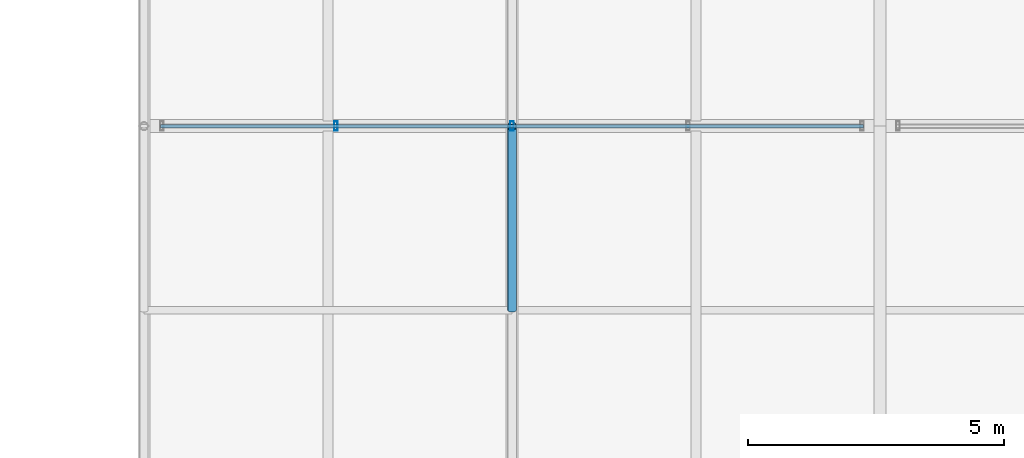
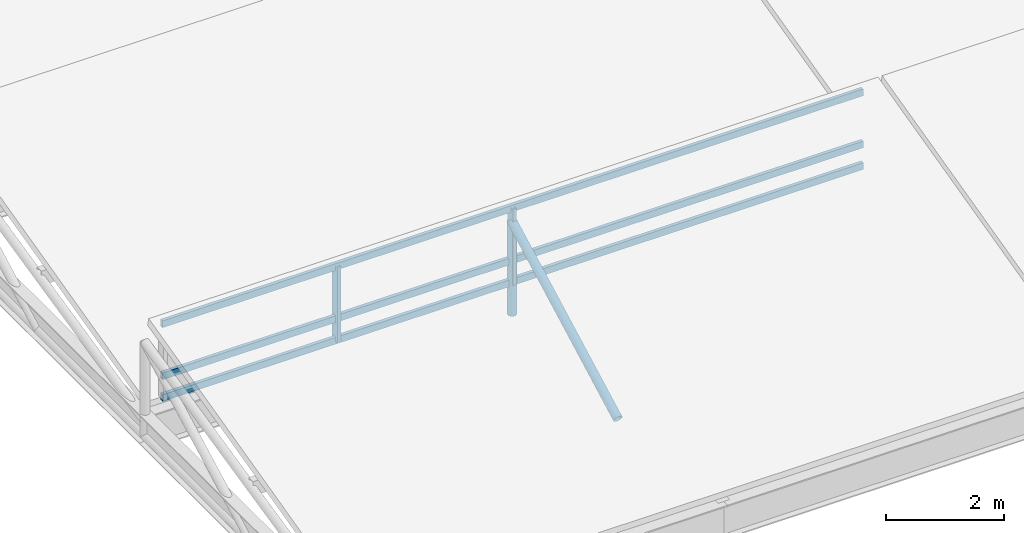
# One storey, part 53 of 144: 7 members, 1 element without a shape of its own.
"""IFC4 building model written with IfcOpenShell, lengths in metres."""

from ifc_helpers import new_model, si_unit, direction, frame, origin, origin_2d, place, context, subcontext, project, spatial, hollow_rectangle, hollow_circle, extrude, material, material_profile, profile_set, type_object, element, aggregate, save


model = new_model("IFC4")

# Units and contexts
model_context = context("Model", 3, precision=1e-05, world=origin(), true_north=direction((0.0, 1.0)))
body_context = subcontext(model_context, "Body", "Model", "MODEL_VIEW")
ifc_project = project(units=[si_unit("LENGTHUNIT", "METRE"), si_unit("AREAUNIT", "SQUARE_METRE"), si_unit("VOLUMEUNIT", "CUBIC_METRE"), si_unit("PLANEANGLEUNIT", "RADIAN"), si_unit("MASSUNIT", "GRAM", prefix="KILO")], contexts=[model_context])

# Site, building, storey
site_placement = place(None, origin())
site = spatial("IfcSite", under=ifc_project, at=site_placement, CompositionType="ELEMENT")
building_placement = place(site_placement, origin())
building = spatial("IfcBuilding", under=site, at=building_placement, Name="Yarey Park Central Fire Station", CompositionType="ELEMENT")
storey_placement = place(building_placement, frame((0.0, 0.0, 10.199951171875)))
storey = spatial("IfcBuildingStorey", under=building, at=storey_placement, Name="L03", CompositionType="ELEMENT", Elevation=10.199951171875)

# Curtain wall, members
ifc_material_1 = material(Name="Anodized Aluminium Frame", Category="aluminium")
curtain_wall_type = type_object("IfcCurtainWallType", Name="ENV_CW_SAW_18", PredefinedType="NOTDEFINED", material=ifc_material_1)
curtain_wall_placement = place(storey_placement, origin())
curtain_wall = element("IfcCurtainWall", 1, at=curtain_wall_placement, inside=storey, type_object=curtain_wall_type, Name="CW_L03_SAW_1_1", PredefinedType="NOTDEFINED")
ifc_material_profile_1 = material_profile(ifc_material_1, hollow_rectangle(XDim=0.070068359375, YDim=0.179931640625, WallThickness=0.00390625, at=origin_2d()), Name="ALU 180x70x4")
ifc_profile_set_1 = profile_set([ifc_material_profile_1], Name="Anodized Aluminium Frame")
member_type_1 = type_object("IfcMemberType", Name="ENV_CW_MULLION", PredefinedType="MULLION", material=ifc_profile_set_1)
member_1_placement = place(storey_placement, frame((144.0, 50.39990234375, 0.0), z_axis=(0.0, 0.0, 1.0), x_axis=(1.0, 0.0, 0.0)))
member_1 = element("IfcMember", 2, at=member_1_placement, type_object=member_type_1, Name="CW_L03_SAW_1_1_MUL3", PredefinedType="MULLION", context=body_context, shape_type="SweptSolid", body=[
    extrude(hollow_rectangle(XDim=0.070068359375, YDim=0.179931640625, WallThickness=0.00390625, at=origin_2d()), origin(), (0.0, 0.0, 1.0), 1.580078125),
])
member_2_placement = place(storey_placement, frame((140.554931640625, 50.39990234375, 0.0), z_axis=(0.0, 0.0, 1.0), x_axis=(1.0, 0.0, 0.0)))
member_2 = element("IfcMember", 3, at=member_2_placement, type_object=member_type_1, Name="CW_L03_SAW_1_1_MUL4", PredefinedType="MULLION", context=body_context, shape_type="SweptSolid", body=[
    extrude(hollow_rectangle(XDim=0.070068359375, YDim=0.179931640625, WallThickness=0.00390625, at=origin_2d()), origin(), (0.0, 0.0, 1.0), 1.580078125),
])
ifc_material_profile_2 = material_profile(ifc_material_1, hollow_rectangle(XDim=0.070068359375, YDim=0.139892578125, WallThickness=0.00390625, at=origin_2d()), Name="ALU 140x70x4")
ifc_profile_set_2 = profile_set([ifc_material_profile_2], Name="Anodized Aluminium Frame")
member_type_2 = type_object("IfcMemberType", Name="ENV_CW_TRANSOM", PredefinedType="USERDEFINED", material=ifc_profile_set_2)
member_3_placement = place(storey_placement, frame((150.875, 50.39990234375, 0.025146484375), z_axis=(-1.0, 0.0, 0.0), x_axis=(0.0, -1.0, 0.0)))
member_3 = element("IfcMember", 4, at=member_3_placement, type_object=member_type_2, Name="CW_L03_SAW_1_1_TRN1", ObjectType="TRANSOM", PredefinedType="USERDEFINED", context=body_context, shape_type="SweptSolid", body=[
    extrude(hollow_rectangle(XDim=0.070068359375, YDim=0.139892578125, WallThickness=0.00390625, at=origin_2d()), origin(), (0.0, 0.0, 1.0), 13.75),
])
member_4_placement = place(storey_placement, frame((150.875, 50.39990234375, 0.47412109375), z_axis=(-1.0, 0.0, 0.0), x_axis=(0.0, -1.0, 0.0)))
member_4 = element("IfcMember", 5, at=member_4_placement, type_object=member_type_2, Name="CW_L03_SAW_1_1_TRN2", ObjectType="TRANSOM", PredefinedType="USERDEFINED", context=body_context, shape_type="SweptSolid", body=[
    extrude(hollow_rectangle(XDim=0.070068359375, YDim=0.139892578125, WallThickness=0.00390625, at=origin_2d()), origin(), (0.0, 0.0, 1.0), 13.75),
])
member_5_placement = place(storey_placement, frame((150.875, 50.39990234375, 1.554931640625), z_axis=(-1.0, 0.0, 0.0), x_axis=(0.0, -1.0, 0.0)))
member_5 = element("IfcMember", 6, at=member_5_placement, type_object=member_type_2, Name="CW_L03_SAW_1_1_TRN3", ObjectType="TRANSOM", PredefinedType="USERDEFINED", context=body_context, shape_type="SweptSolid", body=[
    extrude(hollow_rectangle(XDim=0.070068359375, YDim=0.139892578125, WallThickness=0.00390625, at=origin_2d()), origin(), (0.0, 0.0, 1.0), 13.75),
])
aggregate(curtain_wall, [member_1, member_2, member_3, member_4, member_5])

# Members
ifc_material_2 = material(Name="Steel ASTM A500 Gr. C", Category="steel")
ifc_material_profile_3 = material_profile(ifc_material_2, hollow_circle(Radius=0.084228515625, WallThickness=0.008056640625, at=origin_2d()), Name="CHS 168.3x8")
ifc_profile_set_3 = profile_set([ifc_material_profile_3], Name="Steel ASTM A500 Gr. C")
member_type_3 = type_object("IfcMemberType", Name="STR_WEB_CHS168", PredefinedType="BRACE", material=ifc_profile_set_3)
member_6_placement = place(storey_placement, frame((144.0, 50.39990234375, -0.64990234375), z_axis=(0.0, 0.0, 1.0), x_axis=(1.0, 0.0, 0.0)))
element("IfcMember", 7, at=member_6_placement, inside=storey, type_object=member_type_3, Name="SAW_T2_B1_VT", PredefinedType="BRACE", context=body_context, shape_type="SweptSolid", body=[
    extrude(hollow_circle(Radius=0.084228515625, WallThickness=0.008056640625, at=origin_2d()), origin(), (0.0, 0.0, 1.0), 1.925048828125),
])
member_7_placement = place(storey_placement, frame((144.0, 46.800048828125, -0.64990234375), z_axis=(0.0, 0.8818309127, 0.471565733919), x_axis=(-1.0, 0.0, 0.0)))
element("IfcMember", 8, at=member_7_placement, inside=storey, type_object=member_type_3, Name="SAW_T2_B1_DG", PredefinedType="BRACE", context=body_context, shape_type="SweptSolid", body=[
    extrude(hollow_circle(Radius=0.084228515625, WallThickness=0.008056640625, at=origin_2d()), origin(), (0.0, 0.0, 1.0), 4.082275390625),
])

save(model, "model.ifc")
